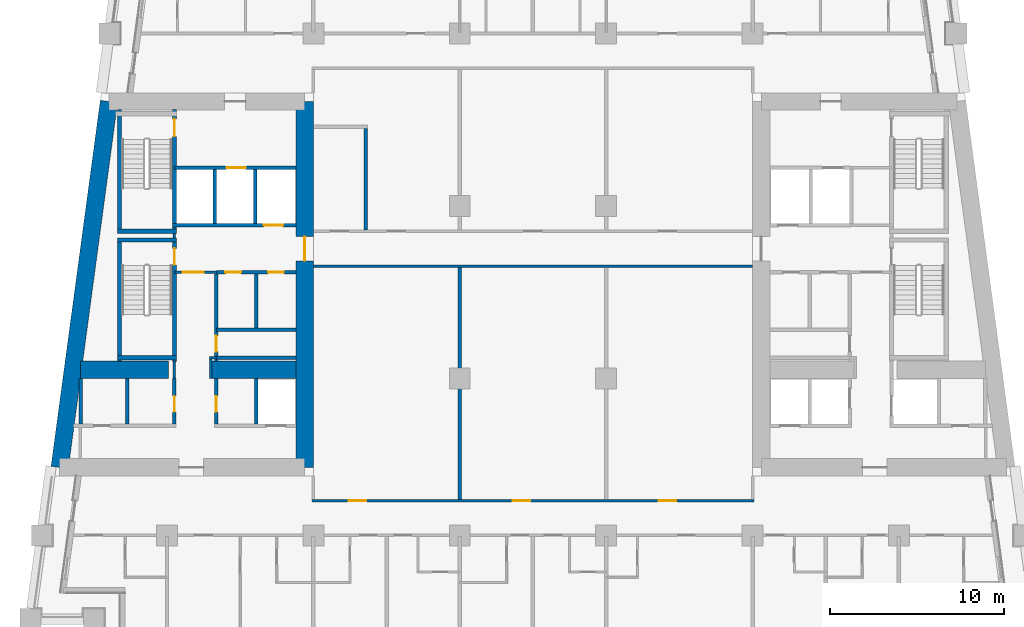
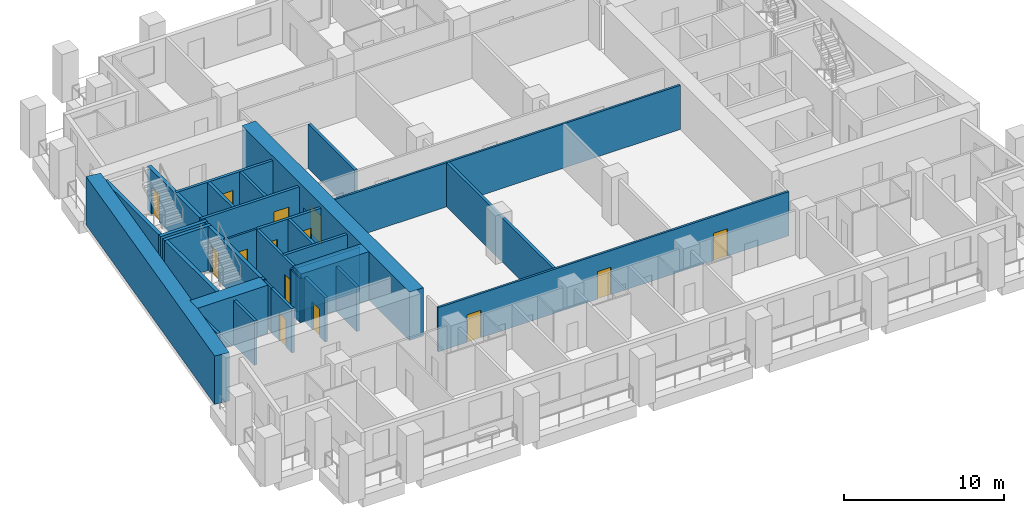
# One storey, part 4 of 13: 34 walls, 14 doors, 14 openings.
"""IFC4 building model written with IfcOpenShell, lengths in metres."""

from ifc_helpers import new_model, si_unit, direction, frame, frame_2d, origin, place, context, subcontext, project, spatial, rectangle, extrude, material, layer, layer_set, type_object, element, fill, save


model = new_model("IFC4")

# Units and contexts
model_context = context("Model", 3, precision=1e-05, world=origin(), true_north=direction((0.0, 1.0)))
body_context = subcontext(model_context, "Body", "Model", "MODEL_VIEW")
ifc_project = project(units=[si_unit("LENGTHUNIT", "METRE"), si_unit("AREAUNIT", "SQUARE_METRE"), si_unit("VOLUMEUNIT", "CUBIC_METRE"), si_unit("PLANEANGLEUNIT", "RADIAN"), si_unit("MASSUNIT", "GRAM", prefix="KILO")], contexts=[model_context])

# Site, building, storey
site_placement = place(None, origin())
site = spatial("IfcSite", under=ifc_project, at=site_placement, CompositionType="ELEMENT")
building_placement = place(site_placement, origin())
building = spatial("IfcBuilding", under=site, at=building_placement, Name="Candeia Pilgrim Tower and Theatre", CompositionType="ELEMENT")
storey_placement = place(building_placement, frame((0.0, 0.0, 94.699951171875)))
storey = spatial("IfcBuildingStorey", under=building, at=storey_placement, Name="L21", CompositionType="ELEMENT", Elevation=94.699951171875)

# Wall, opening, door
ifc_material_1 = material(Name="Concrete C70/85", Category="concrete")
ifc_layer_1 = layer(ifc_material_1, 1.0)
ifc_layer_set_1 = layer_set([ifc_layer_1], Name="Core wall 1000 C70/85")
wall_type_1 = type_object("IfcWallType", Name="Core wall 1000 C70/85", PredefinedType="SHEAR", material=ifc_layer_set_1)
wall_1_placement = place(storey_placement, frame((100.300048828125, 131.89990234375, 0.0), z_axis=(0.0, 0.0, 1.0), x_axis=(0.0, -1.0, 0.0)))
wall_1 = element("IfcWall", 1, at=wall_1_placement, inside=storey, type_object=wall_type_1, Name="Core wall W2", PredefinedType="SHEAR", context=body_context, shape_type="SweptSolid", body=[
    extrude(rectangle(XDim=21.0, YDim=1.0, at=frame_2d((10.5, 0.0))), origin(), (0.0, 0.0, 1.0), 3.699951171875),
])
opening_1_placement = place(wall_1_placement, frame((7.75, 0.0, 0.0)))
opening_1 = element("IfcOpeningElement", 2, at=opening_1_placement, cuts=wall_1, Name="Opening L21-D059", PredefinedType="OPENING", context=body_context, shape_type="SweptSolid", body=[
    extrude(rectangle(XDim=1.39990234375, YDim=2.10009765625, at=frame_2d((0.699951171875, 1.050048828125))), frame((0.0, 0.510009765625, 0.0), z_axis=(0.0, -1.0, 0.0), x_axis=(1.0, 0.0, 0.0)), (0.0, 0.0, 1.0), 1.02001953125),
])
ifc_material_2 = material(Name="Steel fire door set", Category="steel")
door_type_1 = type_object("IfcDoorType", Name="D-1400-FD60", OperationType="NOTDEFINED", PredefinedType="DOOR", material=ifc_material_2)
door_1_placement = place(opening_1_placement, origin())
door_1 = element("IfcDoor", 3, at=door_1_placement, inside=storey, type_object=door_type_1, Name="Door L21-D059", OperationType="SINGLE_SWING_RIGHT", OverallHeight=2.10009765625, OverallWidth=1.39990234375, PredefinedType="DOOR", context=body_context, shape_type="SweptSolid", body=[
    extrude(rectangle(XDim=1.39990234375, YDim=2.10009765625, at=frame_2d((0.699951171875, 1.050048828125))), frame((0.0, 0.02490234375, 0.0), z_axis=(0.0, -1.0, 0.0), x_axis=(1.0, 0.0, 0.0)), (0.0, 0.0, 1.0), 0.050048828125),
])
fill(opening_1, door_1)

# Walls
wall_2_placement = place(storey_placement, frame((86.240966796875, 110.89990234375, 0.0), z_axis=(0.0, 0.0, 1.0), x_axis=(0.133411141623, 0.991060778808, 0.0)))
element("IfcWall", 4, at=wall_2_placement, inside=storey, type_object=wall_type_1, Name="Core wall W4", PredefinedType="SHEAR", context=body_context, shape_type="SweptSolid", body=[
    extrude(rectangle(XDim=21.189453125, YDim=1.0, at=frame_2d((10.5947265625, 0.0))), origin(), (0.0, 0.0, 1.0), 3.699951171875),
])
wall_3_placement = place(storey_placement, frame((87.423095703125, 116.5, 0.0), z_axis=(0.0, 0.0, 1.0), x_axis=(1.0, 0.0, 0.0)))
element("IfcWall", 5, at=wall_3_placement, inside=storey, type_object=wall_type_1, Name="Core wall W5", PredefinedType="SHEAR", context=body_context, shape_type="SweptSolid", body=[
    extrude(rectangle(XDim=5.076904296875, YDim=1.0, at=frame_2d((2.53857421875, 0.0))), origin(), (0.0, 0.0, 1.0), 3.699951171875),
])
wall_4_placement = place(storey_placement, frame((94.89990234375, 116.5, 0.0), z_axis=(0.0, 0.0, 1.0), x_axis=(1.0, 0.0, 0.0)))
element("IfcWall", 6, at=wall_4_placement, inside=storey, type_object=wall_type_1, Name="Core wall W6", PredefinedType="SHEAR", context=body_context, shape_type="SweptSolid", body=[
    extrude(rectangle(XDim=4.900146484375, YDim=1.0, at=frame_2d((2.4501953125, 0.0))), origin(), (0.0, 0.0, 1.0), 3.699951171875),
])
ifc_material_3 = material(Name="Gypsum board partition on steel studs", Category="steel")
ifc_layer_2 = layer(ifc_material_3, 0.14990234375)
ifc_layer_set_2 = layer_set([ifc_layer_2], Name="PW-150 lobby wall")
wall_type_2 = type_object("IfcWallType", Name="PW-150 lobby wall", PredefinedType="PARTITIONING", material=ifc_layer_set_2)
wall_5_placement = place(storey_placement, frame((94.824951171875, 117.199951171875, 0.0), z_axis=(0.0, 0.0, 1.0), x_axis=(1.0, 0.0, 0.0)))
element("IfcWall", 7, at=wall_5_placement, inside=storey, type_object=wall_type_2, Name="Lobby wall L21-018", PredefinedType="PARTITIONING", context=body_context, shape_type="SweptSolid", body=[
    extrude(rectangle(XDim=0.402099609375, YDim=0.14990234375, at=frame_2d((0.201171875, 0.0))), origin(), (0.0, 0.0, 1.0), 3.380126953125),
])

# Wall, opening, door
wall_6_placement = place(storey_placement, frame((92.826904296875, 122.10009765625, 0.0), z_axis=(0.0, 0.0, 1.0), x_axis=(1.0, 0.0, 0.0)))
wall_6 = element("IfcWall", 8, at=wall_6_placement, inside=storey, type_object=wall_type_2, Name="Lobby wall L21-026", PredefinedType="PARTITIONING", context=body_context, shape_type="SweptSolid", body=[
    extrude(rectangle(XDim=2.400146484375, YDim=0.14990234375, at=frame_2d((1.2001953125, 0.0))), origin(), (0.0, 0.0, 1.0), 3.380126953125),
])
opening_2_placement = place(wall_6_placement, frame((0.47509765625, 0.0, 0.0)))
opening_2 = element("IfcOpeningElement", 9, at=opening_2_placement, cuts=wall_6, Name="Opening L21-D001", PredefinedType="OPENING", context=body_context, shape_type="SweptSolid", body=[
    extrude(rectangle(XDim=1.199951171875, YDim=2.10009765625, at=frame_2d((0.60009765625, 1.050048828125))), frame((0.0, 0.0849609375, 0.0), z_axis=(0.0, -1.0, 0.0), x_axis=(1.0, 0.0, 0.0)), (0.0, 0.0, 1.0), 0.169921875),
])
door_type_2 = type_object("IfcDoorType", Name="D-1200-FD60", OperationType="NOTDEFINED", PredefinedType="DOOR", material=ifc_material_2)
door_2_placement = place(opening_2_placement, origin())
door_2 = element("IfcDoor", 10, at=door_2_placement, inside=storey, type_object=door_type_2, Name="Door L21-D001", OperationType="SINGLE_SWING_RIGHT", OverallHeight=2.10009765625, OverallWidth=1.199951171875, PredefinedType="DOOR", context=body_context, shape_type="SweptSolid", body=[
    extrude(rectangle(XDim=1.199951171875, YDim=2.10009765625, at=frame_2d((0.60009765625, 1.050048828125))), frame((0.0, 0.02490234375, 0.0), z_axis=(0.0, -1.0, 0.0), x_axis=(1.0, 0.0, 0.0)), (0.0, 0.0, 1.0), 0.050048828125),
])
fill(opening_2, door_2)

# Walls
wall_7_placement = place(storey_placement, frame((92.826904296875, 116.0, 0.0), z_axis=(0.0, 0.0, 1.0), x_axis=(0.0, 1.0, 0.0)))
element("IfcWall", 11, at=wall_7_placement, inside=storey, type_object=wall_type_2, Name="Lobby wall L21-057", PredefinedType="PARTITIONING", context=body_context, shape_type="SweptSolid", body=[
    extrude(rectangle(XDim=0.969970703125, YDim=0.14990234375, at=frame_2d((0.48486328125, 0.0))), origin(), (0.0, 0.0, 1.0), 3.380126953125),
])
wall_8_placement = place(storey_placement, frame((92.826904296875, 124.074951171875, 0.0), z_axis=(0.0, 0.0, 1.0), x_axis=(0.0, 1.0, 0.0)))
element("IfcWall", 12, at=wall_8_placement, inside=storey, type_object=wall_type_2, Name="Lobby wall L21-058", PredefinedType="PARTITIONING", context=body_context, shape_type="SweptSolid", body=[
    extrude(rectangle(XDim=0.25, YDim=0.14990234375, at=frame_2d((0.125, 0.0))), origin(), (0.0, 0.0, 1.0), 3.380126953125),
])
wall_9_placement = place(storey_placement, frame((94.89990234375, 116.0, 0.0), z_axis=(0.0, 0.0, 1.0), x_axis=(0.0, 1.0, 0.0)))
element("IfcWall", 13, at=wall_9_placement, inside=storey, type_object=wall_type_2, Name="Lobby wall L21-062", PredefinedType="PARTITIONING", context=body_context, shape_type="SweptSolid", body=[
    extrude(rectangle(XDim=1.125, YDim=0.14990234375, at=frame_2d((0.5625, 0.0))), origin(), (0.0, 0.0, 1.0), 3.380126953125),
])

# Wall, openings, doors
ifc_layer_3 = layer(ifc_material_3, 0.14990234375)
ifc_layer_set_3 = layer_set([ifc_layer_3], Name="PW-150 unit wall")
wall_type_3 = type_object("IfcWallType", Name="PW-150 unit wall", PredefinedType="PARTITIONING", material=ifc_layer_set_3)
wall_10_placement = place(storey_placement, frame((100.72509765625, 109.0, 0.0), z_axis=(0.0, 0.0, 1.0), x_axis=(1.0, 0.0, 0.0)))
wall_10 = element("IfcWall", 14, at=wall_10_placement, inside=storey, type_object=wall_type_3, Name="Unit wall L21-011", PredefinedType="PARTITIONING", context=body_context, shape_type="SweptSolid", body=[
    extrude(rectangle(XDim=25.349853515625, YDim=0.14990234375, at=frame_2d((12.6748046875, 0.0))), origin(), (0.0, 0.0, 1.0), 3.380126953125),
])
opening_3_placement = place(wall_10_placement, frame((2.10009765625, 0.0, 0.0)))
opening_3 = element("IfcOpeningElement", 15, at=opening_3_placement, cuts=wall_10, Name="Opening L21-D051", PredefinedType="OPENING", context=body_context, shape_type="SweptSolid", body=[
    extrude(rectangle(XDim=1.0, YDim=2.10009765625, at=frame_2d((0.5, 1.050048828125))), frame((0.0, 0.0849609375, 0.0), z_axis=(0.0, -1.0, 0.0), x_axis=(1.0, 0.0, 0.0)), (0.0, 0.0, 1.0), 0.169921875),
])
opening_4_placement = place(wall_10_placement, frame((11.5048828125, 0.0, 0.0)))
opening_4 = element("IfcOpeningElement", 16, at=opening_4_placement, cuts=wall_10, Name="Opening L21-D052", PredefinedType="OPENING", context=body_context, shape_type="SweptSolid", body=[
    extrude(rectangle(XDim=1.0, YDim=2.10009765625, at=frame_2d((0.5, 1.050048828125))), frame((0.0, 0.0849609375, 0.0), z_axis=(0.0, -1.0, 0.0), x_axis=(1.0, 0.0, 0.0)), (0.0, 0.0, 1.0), 0.169921875),
])
opening_5_placement = place(wall_10_placement, frame((19.905029296875, 0.0, 0.0)))
opening_5 = element("IfcOpeningElement", 17, at=opening_5_placement, cuts=wall_10, Name="Opening L21-D053", PredefinedType="OPENING", context=body_context, shape_type="SweptSolid", body=[
    extrude(rectangle(XDim=1.0, YDim=2.10009765625, at=frame_2d((0.5, 1.050048828125))), frame((0.0, 0.0849609375, 0.0), z_axis=(0.0, -1.0, 0.0), x_axis=(1.0, 0.0, 0.0)), (0.0, 0.0, 1.0), 0.169921875),
])
door_type_3 = type_object("IfcDoorType", Name="D-1000-FD30S", OperationType="NOTDEFINED", PredefinedType="DOOR", material=ifc_material_2)
door_3_placement = place(opening_3_placement, origin())
door_3 = element("IfcDoor", 18, at=door_3_placement, inside=storey, type_object=door_type_3, Name="Door L21-D051", OperationType="SINGLE_SWING_RIGHT", OverallHeight=2.10009765625, OverallWidth=1.0, PredefinedType="DOOR", context=body_context, shape_type="SweptSolid", body=[
    extrude(rectangle(XDim=1.0, YDim=2.10009765625, at=frame_2d((0.5, 1.050048828125))), frame((0.0, 0.02490234375, 0.0), z_axis=(0.0, -1.0, 0.0), x_axis=(1.0, 0.0, 0.0)), (0.0, 0.0, 1.0), 0.050048828125),
])
fill(opening_3, door_3)
door_4_placement = place(opening_4_placement, origin())
door_4 = element("IfcDoor", 19, at=door_4_placement, inside=storey, type_object=door_type_3, Name="Door L21-D052", OperationType="SINGLE_SWING_LEFT", OverallHeight=2.10009765625, OverallWidth=1.0, PredefinedType="DOOR", context=body_context, shape_type="SweptSolid", body=[
    extrude(rectangle(XDim=1.0, YDim=2.10009765625, at=frame_2d((0.5, 1.050048828125))), frame((0.0, 0.02490234375, 0.0), z_axis=(0.0, -1.0, 0.0), x_axis=(1.0, 0.0, 0.0)), (0.0, 0.0, 1.0), 0.050048828125),
])
fill(opening_4, door_4)
door_5_placement = place(opening_5_placement, origin())
door_5 = element("IfcDoor", 20, at=door_5_placement, inside=storey, type_object=door_type_3, Name="Door L21-D053", OperationType="SINGLE_SWING_RIGHT", OverallHeight=2.10009765625, OverallWidth=1.0, PredefinedType="DOOR", context=body_context, shape_type="SweptSolid", body=[
    extrude(rectangle(XDim=1.0, YDim=2.10009765625, at=frame_2d((0.5, 1.050048828125))), frame((0.0, 0.02490234375, 0.0), z_axis=(0.0, -1.0, 0.0), x_axis=(1.0, 0.0, 0.0)), (0.0, 0.0, 1.0), 0.050048828125),
])
fill(opening_5, door_5)

# Walls
wall_11_placement = place(storey_placement, frame((100.800048828125, 122.449951171875, 0.0), z_axis=(0.0, 0.0, 1.0), x_axis=(1.0, 0.0, 0.0)))
element("IfcWall", 21, at=wall_11_placement, inside=storey, type_object=wall_type_3, Name="Unit wall L21-028", PredefinedType="PARTITIONING", context=body_context, shape_type="SweptSolid", body=[
    extrude(rectangle(XDim=25.199951171875, YDim=0.14990234375, at=frame_2d((12.60009765625, 0.0))), origin(), (0.0, 0.0, 1.0), 3.380126953125),
])
ifc_layer_4 = layer(ifc_material_3, 0.199951171875)
ifc_layer_set_4 = layer_set([ifc_layer_4], Name="PW-200 party wall")
wall_type_4 = type_object("IfcWallType", Name="PW-200 party wall", PredefinedType="PARTITIONING", material=ifc_layer_set_4)
wall_12_placement = place(storey_placement, frame((103.800048828125, 124.52490234375, 0.0), z_axis=(0.0, 0.0, 1.0), x_axis=(0.0, 1.0, 0.0)))
element("IfcWall", 22, at=wall_12_placement, inside=storey, type_object=wall_type_4, Name="Party wall L21-077", PredefinedType="PARTITIONING", context=body_context, shape_type="SweptSolid", body=[
    extrude(rectangle(XDim=5.8251953125, YDim=0.199951171875, at=frame_2d((2.91259765625, 0.0))), origin(), (0.0, 0.0, 1.0), 3.380126953125),
])
wall_13_placement = place(storey_placement, frame((109.199951171875, 109.074951171875, 0.0), z_axis=(0.0, 0.0, 1.0), x_axis=(0.0, 1.0, 0.0)))
element("IfcWall", 23, at=wall_13_placement, inside=storey, type_object=wall_type_4, Name="Party wall L21-082", PredefinedType="PARTITIONING", context=body_context, shape_type="SweptSolid", body=[
    extrude(rectangle(XDim=13.300048828125, YDim=0.199951171875, at=frame_2d((6.64990234375, 0.0))), origin(), (0.0, 0.0, 1.0), 3.380126953125),
])
ifc_material_4 = material(Name="Concrete C40/50", Category="concrete")
ifc_layer_5 = layer(ifc_material_4, 0.199951171875)
ifc_layer_set_5 = layer_set([ifc_layer_5], Name="SW-200 shaft wall")
wall_type_5 = type_object("IfcWallType", Name="SW-200 shaft wall", PredefinedType="PARTITIONING", material=ifc_layer_set_5)
for number, where, z_axis, x_axis, name in (
    (24, (95.22705078125, 117.199951171875, 0.0), (0.0, 0.0, 1.0), (1.0, 0.0, 0.0), "Shaft wall L21-016"),
    (25, (95.22705078125, 118.800048828125, 0.0), (0.0, 0.0, 1.0), (1.0, 0.0, 0.0), "Shaft wall L21-022"),
):
    element("IfcWall", number, at=place(storey_placement, frame(where, z_axis=z_axis, x_axis=x_axis)), inside=storey, type_object=wall_type_5, Name=name, PredefinedType="PARTITIONING", context=body_context, shape_type="SweptSolid", body=[
        extrude(rectangle(XDim=4.572998046875, YDim=0.199951171875, at=frame_2d((2.28662109375, 0.0))), origin(), (0.0, 0.0, 1.0), 3.380126953125),
    ])

# Wall, openings, doors
wall_14_placement = place(storey_placement, frame((95.22705078125, 122.10009765625, 0.0), z_axis=(0.0, 0.0, 1.0), x_axis=(1.0, 0.0, 0.0)))
wall_14 = element("IfcWall", 26, at=wall_14_placement, inside=storey, type_object=wall_type_5, Name="Shaft wall L21-024", PredefinedType="PARTITIONING", context=body_context, shape_type="SweptSolid", body=[
    extrude(rectangle(XDim=4.572998046875, YDim=0.199951171875, at=frame_2d((2.28662109375, 0.0))), origin(), (0.0, 0.0, 1.0), 3.380126953125),
])
opening_6_placement = place(wall_14_placement, frame((0.52197265625, 0.0, 0.0)))
opening_6 = element("IfcOpeningElement", 27, at=opening_6_placement, cuts=wall_14, Name="Opening L21-D002", PredefinedType="OPENING", context=body_context, shape_type="SweptSolid", body=[
    extrude(rectangle(XDim=0.89990234375, YDim=2.10009765625, at=frame_2d((0.449951171875, 1.050048828125))), frame((0.0, 0.10986328125, 0.0), z_axis=(0.0, -1.0, 0.0), x_axis=(1.0, 0.0, 0.0)), (0.0, 0.0, 1.0), 0.219970703125),
])
opening_7_placement = place(wall_14_placement, frame((2.97998046875, 0.0, 0.0)))
opening_7 = element("IfcOpeningElement", 28, at=opening_7_placement, cuts=wall_14, Name="Opening L21-D003", PredefinedType="OPENING", context=body_context, shape_type="SweptSolid", body=[
    extrude(rectangle(XDim=0.89990234375, YDim=2.10009765625, at=frame_2d((0.449951171875, 1.050048828125))), frame((0.0, 0.10986328125, 0.0), z_axis=(0.0, -1.0, 0.0), x_axis=(1.0, 0.0, 0.0)), (0.0, 0.0, 1.0), 0.219970703125),
])
door_type_4 = type_object("IfcDoorType", Name="D-900-FD60", OperationType="NOTDEFINED", PredefinedType="DOOR", material=ifc_material_2)
door_6_placement = place(opening_6_placement, origin())
door_6 = element("IfcDoor", 29, at=door_6_placement, inside=storey, type_object=door_type_4, Name="Door L21-D002", OperationType="SINGLE_SWING_LEFT", OverallHeight=2.10009765625, OverallWidth=0.89990234375, PredefinedType="DOOR", context=body_context, shape_type="SweptSolid", body=[
    extrude(rectangle(XDim=0.89990234375, YDim=2.10009765625, at=frame_2d((0.449951171875, 1.050048828125))), frame((0.0, 0.02490234375, 0.0), z_axis=(0.0, -1.0, 0.0), x_axis=(1.0, 0.0, 0.0)), (0.0, 0.0, 1.0), 0.050048828125),
])
fill(opening_6, door_6)
door_7_placement = place(opening_7_placement, origin())
door_7 = element("IfcDoor", 30, at=door_7_placement, inside=storey, type_object=door_type_4, Name="Door L21-D003", OperationType="SINGLE_SWING_RIGHT", OverallHeight=2.10009765625, OverallWidth=0.89990234375, PredefinedType="DOOR", context=body_context, shape_type="SweptSolid", body=[
    extrude(rectangle(XDim=0.89990234375, YDim=2.10009765625, at=frame_2d((0.449951171875, 1.050048828125))), frame((0.0, 0.02490234375, 0.0), z_axis=(0.0, -1.0, 0.0), x_axis=(1.0, 0.0, 0.0)), (0.0, 0.0, 1.0), 0.050048828125),
])
fill(opening_7, door_7)

# Wall, opening, door
wall_15_placement = place(storey_placement, frame((92.701904296875, 124.800048828125, 0.0), z_axis=(0.0, 0.0, 1.0), x_axis=(1.0, 0.0, 0.0)))
wall_15 = element("IfcWall", 31, at=wall_15_placement, inside=storey, type_object=wall_type_5, Name="Shaft wall L21-034", PredefinedType="PARTITIONING", context=body_context, shape_type="SweptSolid", body=[
    extrude(rectangle(XDim=7.09814453125, YDim=0.199951171875, at=frame_2d((3.549072265625, 0.0))), origin(), (0.0, 0.0, 1.0), 3.380126953125),
])
opening_8_placement = place(wall_15_placement, frame((5.2548828125, 0.0, 0.0)))
opening_8 = element("IfcOpeningElement", 32, at=opening_8_placement, cuts=wall_15, Name="Opening L21-LD02", PredefinedType="OPENING", context=body_context, shape_type="SweptSolid", body=[
    extrude(rectangle(XDim=1.10009765625, YDim=2.10009765625, at=frame_2d((0.550048828125, 1.050048828125))), frame((0.0, 0.10986328125, 0.0), z_axis=(0.0, -1.0, 0.0), x_axis=(1.0, 0.0, 0.0)), (0.0, 0.0, 1.0), 0.219970703125),
])
ifc_material_5 = material(Name="Glazed aluminium landing door", Category="aluminium")
door_type_5 = type_object("IfcDoorType", Name="LD-1100-EI120", OperationType="SLIDING_TO_LEFT", PredefinedType="DOOR", material=ifc_material_5)
door_8_placement = place(opening_8_placement, origin())
door_8 = element("IfcDoor", 33, at=door_8_placement, inside=storey, type_object=door_type_5, Name="Landing door 02 L21", OperationType="SLIDING_TO_LEFT", OverallHeight=2.10009765625, OverallWidth=1.10009765625, PredefinedType="DOOR", context=body_context, shape_type="SweptSolid", body=[
    extrude(rectangle(XDim=1.10009765625, YDim=2.10009765625, at=frame_2d((0.550048828125, 1.050048828125))), frame((0.0, 0.02490234375, 0.0), z_axis=(0.0, -1.0, 0.0), x_axis=(1.0, 0.0, 0.0)), (0.0, 0.0, 1.0), 0.050048828125),
])
fill(opening_8, door_8)

wall_16_placement = place(storey_placement, frame((92.826904296875, 128.10009765625, 0.0), z_axis=(0.0, 0.0, 1.0), x_axis=(1.0, 0.0, 0.0)))
wall_16 = element("IfcWall", 34, at=wall_16_placement, inside=storey, type_object=wall_type_5, Name="Shaft wall L21-037", PredefinedType="PARTITIONING", context=body_context, shape_type="SweptSolid", body=[
    extrude(rectangle(XDim=6.97314453125, YDim=0.199951171875, at=frame_2d((3.486572265625, 0.0))), origin(), (0.0, 0.0, 1.0), 3.380126953125),
])
opening_9_placement = place(wall_16_placement, frame((2.989013671875, 0.0, 0.0)))
opening_9 = element("IfcOpeningElement", 35, at=opening_9_placement, cuts=wall_16, Name="Opening L21-LD01", PredefinedType="OPENING", context=body_context, shape_type="SweptSolid", body=[
    extrude(rectangle(XDim=1.10009765625, YDim=2.10009765625, at=frame_2d((0.550048828125, 1.050048828125))), frame((0.0, 0.10986328125, 0.0), z_axis=(0.0, -1.0, 0.0), x_axis=(1.0, 0.0, 0.0)), (0.0, 0.0, 1.0), 0.219970703125),
])
door_9_placement = place(opening_9_placement, origin())
door_9 = element("IfcDoor", 36, at=door_9_placement, inside=storey, type_object=door_type_5, Name="Landing door 01 L21", OperationType="SLIDING_TO_LEFT", OverallHeight=2.10009765625, OverallWidth=1.10009765625, PredefinedType="DOOR", context=body_context, shape_type="SweptSolid", body=[
    extrude(rectangle(XDim=1.10009765625, YDim=2.10009765625, at=frame_2d((0.550048828125, 1.050048828125))), frame((0.0, 0.02490234375, 0.0), z_axis=(0.0, -1.0, 0.0), x_axis=(1.0, 0.0, 0.0)), (0.0, 0.0, 1.0), 0.050048828125),
])
fill(opening_9, door_9)

# Walls
for number, where, z_axis, x_axis, name in (
    (37, (87.451171875, 113.39990234375, 0.0), (0.0, 0.0, 1.0), (0.0, 1.0, 0.0), "Shaft wall L21-049"),
    (38, (90.1279296875, 113.39990234375, 0.0), (0.0, 0.0, 1.0), (0.0, 1.0, 0.0), "Shaft wall L21-054"),
):
    element("IfcWall", number, at=place(storey_placement, frame(where, z_axis=z_axis, x_axis=x_axis)), inside=storey, type_object=wall_type_5, Name=name, PredefinedType="PARTITIONING", context=body_context, shape_type="SweptSolid", body=[
        extrude(rectangle(XDim=2.60009765625, YDim=0.199951171875, at=frame_2d((1.300048828125, 0.0))), origin(), (0.0, 0.0, 1.0), 3.380126953125),
    ])

# Wall, opening, door
wall_17_placement = place(storey_placement, frame((92.826904296875, 113.39990234375, 0.0), z_axis=(0.0, 0.0, 1.0), x_axis=(0.0, 1.0, 0.0)))
wall_17 = element("IfcWall", 39, at=wall_17_placement, inside=storey, type_object=wall_type_5, Name="Shaft wall L21-056", PredefinedType="PARTITIONING", context=body_context, shape_type="SweptSolid", body=[
    extrude(rectangle(XDim=2.60009765625, YDim=0.199951171875, at=frame_2d((1.300048828125, 0.0))), origin(), (0.0, 0.0, 1.0), 3.380126953125),
])
opening_10_placement = place(wall_17_placement, frame((0.68994140625, 0.0, 0.0)))
opening_10 = element("IfcOpeningElement", 40, at=opening_10_placement, cuts=wall_17, Name="Opening L21-D008", PredefinedType="OPENING", context=body_context, shape_type="SweptSolid", body=[
    extrude(rectangle(XDim=0.89990234375, YDim=2.10009765625, at=frame_2d((0.449951171875, 1.050048828125))), frame((0.0, 0.10986328125, 0.0), z_axis=(0.0, -1.0, 0.0), x_axis=(1.0, 0.0, 0.0)), (0.0, 0.0, 1.0), 0.219970703125),
])
door_10_placement = place(opening_10_placement, origin())
door_10 = element("IfcDoor", 41, at=door_10_placement, inside=storey, type_object=door_type_4, Name="Door L21-D008", OperationType="SINGLE_SWING_RIGHT", OverallHeight=2.10009765625, OverallWidth=0.89990234375, PredefinedType="DOOR", context=body_context, shape_type="SweptSolid", body=[
    extrude(rectangle(XDim=0.89990234375, YDim=2.10009765625, at=frame_2d((0.449951171875, 1.050048828125))), frame((0.0, 0.02490234375, 0.0), z_axis=(0.0, -1.0, 0.0), x_axis=(1.0, 0.0, 0.0)), (0.0, 0.0, 1.0), 0.050048828125),
])
fill(opening_10, door_10)

# Wall
wall_18_placement = place(storey_placement, frame((95.1513671875, 124.89990234375, 0.0), z_axis=(0.0, 0.0, 1.0), x_axis=(0.0, 1.0, 0.0)))
element("IfcWall", 42, at=wall_18_placement, inside=storey, type_object=wall_type_5, Name="Shaft wall L21-063", PredefinedType="PARTITIONING", context=body_context, shape_type="SweptSolid", body=[
    extrude(rectangle(XDim=3.10009765625, YDim=0.199951171875, at=frame_2d((1.550048828125, 0.0))), origin(), (0.0, 0.0, 1.0), 3.380126953125),
])

# Wall, opening, door
wall_19_placement = place(storey_placement, frame((95.22705078125, 113.39990234375, 0.0), z_axis=(0.0, 0.0, 1.0), x_axis=(0.0, 1.0, 0.0)))
wall_19 = element("IfcWall", 43, at=wall_19_placement, inside=storey, type_object=wall_type_5, Name="Shaft wall L21-064", PredefinedType="PARTITIONING", context=body_context, shape_type="SweptSolid", body=[
    extrude(rectangle(XDim=2.60009765625, YDim=0.199951171875, at=frame_2d((1.300048828125, 0.0))), origin(), (0.0, 0.0, 1.0), 3.380126953125),
])
opening_11_placement = place(wall_19_placement, frame((0.68994140625, 0.0, 0.0)))
opening_11 = element("IfcOpeningElement", 44, at=opening_11_placement, cuts=wall_19, Name="Opening L21-D009", PredefinedType="OPENING", context=body_context, shape_type="SweptSolid", body=[
    extrude(rectangle(XDim=0.89990234375, YDim=2.10009765625, at=frame_2d((0.449951171875, 1.050048828125))), frame((0.0, 0.10986328125, 0.0), z_axis=(0.0, -1.0, 0.0), x_axis=(1.0, 0.0, 0.0)), (0.0, 0.0, 1.0), 0.219970703125),
])
door_11_placement = place(opening_11_placement, origin())
door_11 = element("IfcDoor", 45, at=door_11_placement, inside=storey, type_object=door_type_4, Name="Door L21-D009", OperationType="SINGLE_SWING_LEFT", OverallHeight=2.10009765625, OverallWidth=0.89990234375, PredefinedType="DOOR", context=body_context, shape_type="SweptSolid", body=[
    extrude(rectangle(XDim=0.89990234375, YDim=2.10009765625, at=frame_2d((0.449951171875, 1.050048828125))), frame((0.0, 0.02490234375, 0.0), z_axis=(0.0, -1.0, 0.0), x_axis=(1.0, 0.0, 0.0)), (0.0, 0.0, 1.0), 0.050048828125),
])
fill(opening_11, door_11)

wall_20_placement = place(storey_placement, frame((95.22705078125, 116.969970703125, 0.0), z_axis=(0.0, 0.0, 1.0), x_axis=(0.0, 1.0, 0.0)))
wall_20 = element("IfcWall", 46, at=wall_20_placement, inside=storey, type_object=wall_type_5, Name="Shaft wall L21-065", PredefinedType="PARTITIONING", context=body_context, shape_type="SweptSolid", body=[
    extrude(rectangle(XDim=5.030029296875, YDim=0.199951171875, at=frame_2d((2.51513671875, 0.0))), origin(), (0.0, 0.0, 1.0), 3.380126953125),
])
opening_12_placement = place(wall_20_placement, frame((0.580078125, 0.0, 0.0)))
opening_12 = element("IfcOpeningElement", 47, at=opening_12_placement, cuts=wall_20, Name="Opening L21-D006", PredefinedType="OPENING", context=body_context, shape_type="SweptSolid", body=[
    extrude(rectangle(XDim=0.89990234375, YDim=2.10009765625, at=frame_2d((0.449951171875, 1.050048828125))), frame((0.0, 0.10986328125, 0.0), z_axis=(0.0, -1.0, 0.0), x_axis=(1.0, 0.0, 0.0)), (0.0, 0.0, 1.0), 0.219970703125),
])
door_12_placement = place(opening_12_placement, origin())
door_12 = element("IfcDoor", 48, at=door_12_placement, inside=storey, type_object=door_type_4, Name="Door L21-D006", OperationType="SINGLE_SWING_LEFT", OverallHeight=2.10009765625, OverallWidth=0.89990234375, PredefinedType="DOOR", context=body_context, shape_type="SweptSolid", body=[
    extrude(rectangle(XDim=0.89990234375, YDim=2.10009765625, at=frame_2d((0.449951171875, 1.050048828125))), frame((0.0, 0.02490234375, 0.0), z_axis=(0.0, -1.0, 0.0), x_axis=(1.0, 0.0, 0.0)), (0.0, 0.0, 1.0), 0.050048828125),
])
fill(opening_12, door_12)

# Walls
wall_21_placement = place(storey_placement, frame((97.4755859375, 124.89990234375, 0.0), z_axis=(0.0, 0.0, 1.0), x_axis=(0.0, 1.0, 0.0)))
element("IfcWall", 49, at=wall_21_placement, inside=storey, type_object=wall_type_5, Name="Shaft wall L21-068", PredefinedType="PARTITIONING", context=body_context, shape_type="SweptSolid", body=[
    extrude(rectangle(XDim=3.10009765625, YDim=0.199951171875, at=frame_2d((1.550048828125, 0.0))), origin(), (0.0, 0.0, 1.0), 3.380126953125),
])
wall_22_placement = place(storey_placement, frame((97.513427734375, 113.39990234375, 0.0), z_axis=(0.0, 0.0, 1.0), x_axis=(0.0, 1.0, 0.0)))
element("IfcWall", 50, at=wall_22_placement, inside=storey, type_object=wall_type_5, Name="Shaft wall L21-069", PredefinedType="PARTITIONING", context=body_context, shape_type="SweptSolid", body=[
    extrude(rectangle(XDim=2.60009765625, YDim=0.199951171875, at=frame_2d((1.300048828125, 0.0))), origin(), (0.0, 0.0, 1.0), 3.380126953125),
])
wall_23_placement = place(storey_placement, frame((97.513427734375, 118.89990234375, 0.0), z_axis=(0.0, 0.0, 1.0), x_axis=(0.0, 1.0, 0.0)))
element("IfcWall", 51, at=wall_23_placement, inside=storey, type_object=wall_type_5, Name="Shaft wall L21-070", PredefinedType="PARTITIONING", context=body_context, shape_type="SweptSolid", body=[
    extrude(rectangle(XDim=3.10009765625, YDim=0.199951171875, at=frame_2d((1.550048828125, 0.0))), origin(), (0.0, 0.0, 1.0), 3.380126953125),
])
ifc_layer_6 = layer(ifc_material_4, 0.25)
ifc_layer_set_6 = layer_set([ifc_layer_6], Name="SW-250 stair wall")
wall_type_6 = type_object("IfcWallType", Name="SW-250 stair wall", PredefinedType="PARTITIONING", material=ifc_layer_set_6)
for number, where, z_axis, x_axis, name in (
    (52, (89.552001953125, 117.199951171875, 0.0), (0.0, 0.0, 1.0), (1.0, 0.0, 0.0), "Stair wall L21-020"),
    (53, (89.552001953125, 123.949951171875, 0.0), (0.0, 0.0, 1.0), (1.0, 0.0, 0.0), "Stair wall L21-029"),
    (54, (89.552001953125, 124.449951171875, 0.0), (0.0, 0.0, 1.0), (1.0, 0.0, 0.0), "Stair wall L21-031"),
):
    element("IfcWall", number, at=place(storey_placement, frame(where, z_axis=z_axis, x_axis=x_axis)), inside=storey, type_object=wall_type_6, Name=name, PredefinedType="PARTITIONING", context=body_context, shape_type="SweptSolid", body=[
        extrude(rectangle(XDim=3.39990234375, YDim=0.25, at=frame_2d((1.699951171875, 0.0))), origin(), (0.0, 0.0, 1.0), 3.380126953125),
    ])
for number, where, z_axis, x_axis, name in (
    (55, (89.677001953125, 116.969970703125, 0.0), (0.0, 0.0, 1.0), (0.0, 1.0, 0.0), "Stair wall L21-051"),
    (56, (89.677001953125, 124.574951171875, 0.0), (0.0, 0.0, 1.0), (0.0, 1.0, 0.0), "Stair wall L21-052"),
):
    element("IfcWall", number, at=place(storey_placement, frame(where, z_axis=z_axis, x_axis=x_axis)), inside=storey, type_object=wall_type_6, Name=name, PredefinedType="PARTITIONING", context=body_context, shape_type="SweptSolid", body=[
        extrude(rectangle(XDim=6.85498046875, YDim=0.25, at=frame_2d((3.427490234375, 0.0))), origin(), (0.0, 0.0, 1.0), 3.380126953125),
    ])

# Wall, opening, door
wall_24_placement = place(storey_placement, frame((92.826904296875, 116.969970703125, 0.0), z_axis=(0.0, 0.0, 1.0), x_axis=(0.0, 1.0, 0.0)))
wall_24 = element("IfcWall", 57, at=wall_24_placement, inside=storey, type_object=wall_type_6, Name="Stair wall L21-059", PredefinedType="PARTITIONING", context=body_context, shape_type="SweptSolid", body=[
    extrude(rectangle(XDim=6.85498046875, YDim=0.25, at=frame_2d((3.427490234375, 0.0))), origin(), (0.0, 0.0, 1.0), 3.380126953125),
])
opening_13_placement = place(wall_24_placement, frame((5.554931640625, 0.0, 0.0)))
opening_13 = element("IfcOpeningElement", 58, at=opening_13_placement, cuts=wall_24, Name="Opening L21-D004", PredefinedType="OPENING", context=body_context, shape_type="SweptSolid", body=[
    extrude(rectangle(XDim=0.949951171875, YDim=2.10009765625, at=frame_2d((0.47509765625, 1.050048828125))), frame((0.0, 0.135009765625, 0.0), z_axis=(0.0, -1.0, 0.0), x_axis=(1.0, 0.0, 0.0)), (0.0, 0.0, 1.0), 0.27001953125),
])
door_type_6 = type_object("IfcDoorType", Name="D-950-FD60", OperationType="NOTDEFINED", PredefinedType="DOOR", material=ifc_material_2)
door_13_placement = place(opening_13_placement, origin())
door_13 = element("IfcDoor", 59, at=door_13_placement, inside=storey, type_object=door_type_6, Name="Door L21-D004", OperationType="SINGLE_SWING_LEFT", OverallHeight=2.10009765625, OverallWidth=0.949951171875, PredefinedType="DOOR", context=body_context, shape_type="SweptSolid", body=[
    extrude(rectangle(XDim=0.949951171875, YDim=2.10009765625, at=frame_2d((0.47509765625, 1.050048828125))), frame((0.0, 0.02490234375, 0.0), z_axis=(0.0, -1.0, 0.0), x_axis=(1.0, 0.0, 0.0)), (0.0, 0.0, 1.0), 0.050048828125),
])
fill(opening_13, door_13)

wall_25_placement = place(storey_placement, frame((92.826904296875, 124.574951171875, 0.0), z_axis=(0.0, 0.0, 1.0), x_axis=(0.0, 1.0, 0.0)))
wall_25 = element("IfcWall", 60, at=wall_25_placement, inside=storey, type_object=wall_type_6, Name="Stair wall L21-060", PredefinedType="PARTITIONING", context=body_context, shape_type="SweptSolid", body=[
    extrude(rectangle(XDim=6.85498046875, YDim=0.25, at=frame_2d((3.427490234375, 0.0))), origin(), (0.0, 0.0, 1.0), 3.380126953125),
])
opening_14_placement = place(wall_25_placement, frame((5.324951171875, 0.0, 0.0)))
opening_14 = element("IfcOpeningElement", 61, at=opening_14_placement, cuts=wall_25, Name="Opening L21-D005", PredefinedType="OPENING", context=body_context, shape_type="SweptSolid", body=[
    extrude(rectangle(XDim=1.0, YDim=2.10009765625, at=frame_2d((0.5, 1.050048828125))), frame((0.0, 0.135009765625, 0.0), z_axis=(0.0, -1.0, 0.0), x_axis=(1.0, 0.0, 0.0)), (0.0, 0.0, 1.0), 0.27001953125),
])
door_type_7 = type_object("IfcDoorType", Name="D-1000-FD60", OperationType="NOTDEFINED", PredefinedType="DOOR", material=ifc_material_2)
door_14_placement = place(opening_14_placement, origin())
door_14 = element("IfcDoor", 62, at=door_14_placement, inside=storey, type_object=door_type_7, Name="Door L21-D005", OperationType="SINGLE_SWING_RIGHT", OverallHeight=2.10009765625, OverallWidth=1.0, PredefinedType="DOOR", context=body_context, shape_type="SweptSolid", body=[
    extrude(rectangle(XDim=1.0, YDim=2.10009765625, at=frame_2d((0.5, 1.050048828125))), frame((0.0, 0.02490234375, 0.0), z_axis=(0.0, -1.0, 0.0), x_axis=(1.0, 0.0, 0.0)), (0.0, 0.0, 1.0), 0.050048828125),
])
fill(opening_14, door_14)

save(model, "model.ifc")
